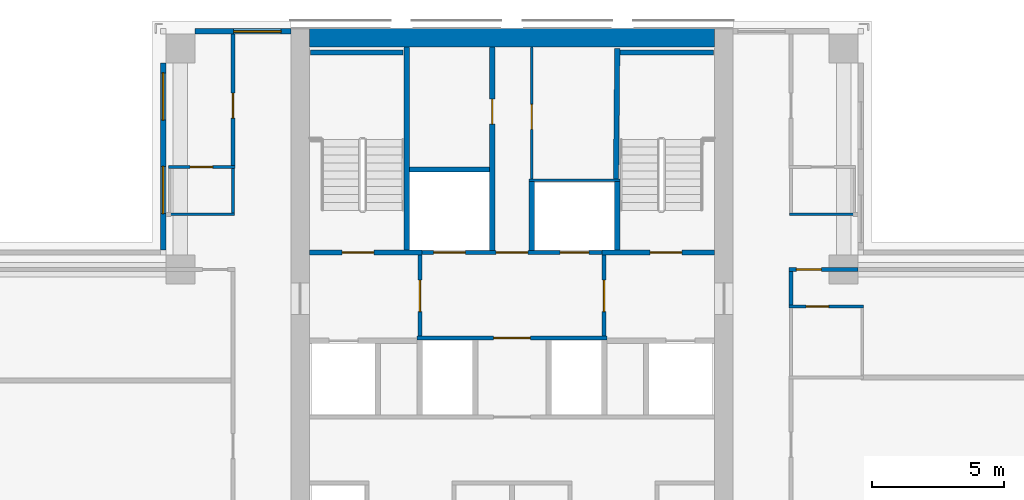
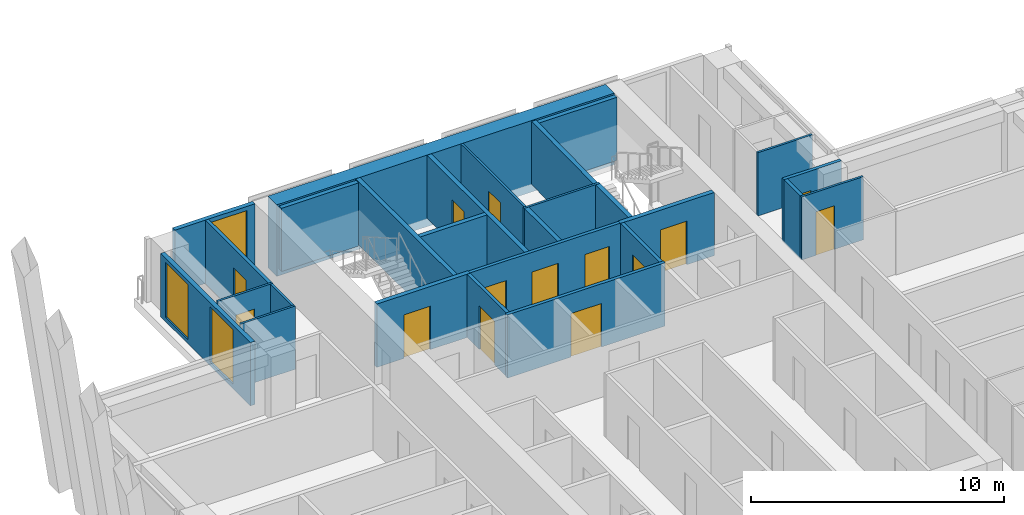
# One storey, part 11 of 15: 27 walls, 14 doors, 3 windows, 17 openings.
"""IFC4 building model written with IfcOpenShell, lengths in metres."""

import ifcopenshell
import ifcopenshell.guid

model = None  # the IFC model being written
_history = None  # IfcOwnerHistory: only IFC2X3 demands one
_inside = {}  # id of a spatial element -> (the spatial element, [elements in it])
_under = {}  # id of a project, library or spatial element -> (it, [spatial elements below it])
_declared = {}  # id of a project -> (the project, [libraries it declares])
_typed = {}  # id of a type object -> (the type object, [elements of that type])
_made_of = {}  # id of a material, layer set ... -> (it, [elements and type objects made of it])


def new_model(schema):
    """Start an empty IFC model of exactly this schema.

    Asked for "IFC4X3", IfcOpenShell would pick the latest addendum, in which some entities
    have other attributes; the version numbers below select the first issue.
    IFC2X3 requires an IfcOwnerHistory on every rooted entity: one is made here for all.
    """
    global model, _history
    if schema == "IFC4X3":
        model = ifcopenshell.file(schema_version=(4, 3, 0, 0))
    else:
        model = ifcopenshell.file(schema=schema)
    _inside.clear()
    _under.clear()
    _declared.clear()
    _typed.clear()
    _made_of.clear()
    _history = None
    if model.schema == "IFC2X3":
        org = make("IfcOrganization", Name="unknown")
        user = make(
            "IfcPersonAndOrganization",
            ThePerson=make("IfcPerson", FamilyName="unknown"),
            TheOrganization=org,
        )
        app = make(
            "IfcApplication",
            ApplicationDeveloper=org,
            Version="unknown",
            ApplicationFullName="unknown",
            ApplicationIdentifier="unknown",
        )
        _history = make(
            "IfcOwnerHistory",
            OwningUser=user,
            OwningApplication=app,
            ChangeAction="ADDED",
            CreationDate=0,
        )
    return model


def make(cls, **values):
    """One entity of the class cls with the attributes given. An attribute that is None is left unset."""
    return model.create_entity(
        cls, **{name: value for name, value in values.items() if value is not None}
    )


def rooted(cls, **values):
    """An entity with a GlobalId (a new one), such as an element, a storey or a relation."""
    return make(cls, GlobalId=ifcopenshell.guid.new(), OwnerHistory=_history, **values)


def si_unit(unit_type, name, prefix=None):
    """IfcSIUnit, for example si_unit("LENGTHUNIT", "METRE", prefix="MILLI")."""
    return make("IfcSIUnit", UnitType=unit_type, Prefix=prefix, Name=name)


def assignment(units):
    """IfcUnitAssignment: the units of a project."""
    return None if units is None else make("IfcUnitAssignment", Units=units)


def point(xyz):
    """IfcCartesianPoint."""
    return None if xyz is None else make("IfcCartesianPoint", Coordinates=xyz)


def direction(xyz):
    """IfcDirection."""
    return None if xyz is None else make("IfcDirection", DirectionRatios=xyz)


def frame(location, z_axis=None, x_axis=None):
    """IfcAxis2Placement3D, a coordinate frame: its origin and axes. An axis left out is left unset."""
    return make(
        "IfcAxis2Placement3D",
        Location=point(location),
        Axis=direction(z_axis),
        RefDirection=direction(x_axis),
    )


def frame_2d(location, x_axis=None):
    """IfcAxis2Placement2D, a coordinate frame in the plane: its origin and x axis."""
    return make(
        "IfcAxis2Placement2D", Location=point(location), RefDirection=direction(x_axis)
    )


def origin():
    """The frame at (0, 0, 0) with its axes left unset."""
    return frame((0.0, 0.0, 0.0))


def place(relative_to, where):
    """IfcLocalPlacement: puts the frame where relative to a parent placement (None: the world)."""
    return make(
        "IfcLocalPlacement", PlacementRelTo=relative_to, RelativePlacement=where
    )


def context(
    kind, dimensions, precision=None, world=None, true_north=None, identifier=None
):
    """IfcGeometricRepresentationContext, for example the 3D "Model" context."""
    return make(
        "IfcGeometricRepresentationContext",
        ContextIdentifier=identifier,
        ContextType=kind,
        CoordinateSpaceDimension=dimensions,
        Precision=precision,
        WorldCoordinateSystem=world,
        TrueNorth=true_north,
    )


def subcontext(parent, identifier, kind, view, scale=None):
    """IfcGeometricRepresentationSubContext, for example "Body" below "Model"."""
    return make(
        "IfcGeometricRepresentationSubContext",
        ContextIdentifier=identifier,
        ContextType=kind,
        ParentContext=parent,
        TargetScale=scale,
        TargetView=view,
    )


def project(units=None, contexts=None):
    """IfcProject with its units and contexts."""
    return rooted(
        "IfcProject",
        Name="project",
        RepresentationContexts=contexts,
        UnitsInContext=assignment(units),
    )


def spatial(cls, under=None, at=None, **own):
    """A site, building, storey or space (cls), placed at a placement, below another one or the project."""
    s = rooted(cls, ObjectPlacement=at, **own)
    if under is not None:
        _under.setdefault(under.id(), (under, []))[1].append(s)
    return s


def profile(cls, at=None, kind="AREA", **sizes):
    """A parametric profile (cls). Its sizes go by their IFC names, for example OverallWidth=200.0."""
    return make(cls, ProfileType=kind, Position=at, **sizes)


def rectangle(**sizes):
    """IfcRectangleProfileDef."""
    return profile("IfcRectangleProfileDef", **sizes)


def extrude(swept, where, along, depth):
    """IfcExtrudedAreaSolid: the profile swept, set in the frame where, extruded along a direction by depth."""
    return make(
        "IfcExtrudedAreaSolid",
        SweptArea=swept,
        Position=where,
        ExtrudedDirection=direction(along),
        Depth=depth,
    )


def shape(context_of_items, identifier, shape_type, items):
    """IfcShapeRepresentation: the items that make up one representation, for example the "Body"."""
    return make(
        "IfcShapeRepresentation",
        ContextOfItems=context_of_items,
        RepresentationIdentifier=identifier,
        RepresentationType=shape_type,
        Items=items,
    )


def material(Name=None, Category=None):
    """IfcMaterial."""
    return make("IfcMaterial", Name=Name, Category=Category)


def layer(
    of_material, thickness, ventilated=None, Name=None, Category=None, Priority=None
):
    """IfcMaterialLayer: one layer of a wall or slab, of a material (None: an air gap)."""
    return make(
        "IfcMaterialLayer",
        Material=of_material,
        LayerThickness=thickness,
        IsVentilated=ventilated,
        Name=Name,
        Category=Category,
        Priority=Priority,
    )


def layer_set(layers, Name=None):
    """IfcMaterialLayerSet."""
    return make("IfcMaterialLayerSet", MaterialLayers=layers, LayerSetName=Name)


def made_of(thing, what):
    """Note that an element or type object is made of a material, layer set ...; save() writes the relation."""
    if what is not None:
        _made_of.setdefault(what.id(), (what, []))[1].append(thing)
    return thing


def type_object(cls, material=None, **own):
    """A type object (cls), such as IfcWallType, which elements share."""
    return made_of(rooted(cls, **own), material)


def element(
    cls,
    number,
    at=None,
    inside=None,
    cuts=None,
    type_object=None,
    material=None,
    context=None,
    identifier="Body",
    shape_type=None,
    held_by="IfcProductDefinitionShape",
    body=None,
    shapes=None,
    **own,
):
    """One element of the class cls, such as IfcWall. Its Tag is "e" and its number.

    at: its placement. inside: the storey or other place that contains it. cuts: it is an
    opening in that element (IfcRelVoidsElement). A single representation is given by context,
    identifier, shape_type and body (its items); several are given by shapes. held_by: the class
    of the entity that holds the representations. save() writes the other relations.
    """
    e = rooted(cls, Tag="e%d" % number, ObjectPlacement=at, **own)
    if body is not None:
        shapes = [shape(context, identifier, shape_type, body)]
    if shapes is not None:
        e.Representation = make(held_by, Representations=shapes)
    if inside is not None:
        _inside.setdefault(inside.id(), (inside, []))[1].append(e)
    if cuts is not None:
        rooted(
            "IfcRelVoidsElement", RelatingBuildingElement=cuts, RelatedOpeningElement=e
        )
    if type_object is not None:
        _typed.setdefault(type_object.id(), (type_object, []))[1].append(e)
    return made_of(e, material)


def fill(opening, filler):
    """IfcRelFillsElement: the door or window that sits in an opening."""
    return rooted(
        "IfcRelFillsElement",
        RelatingOpeningElement=opening,
        RelatedBuildingElement=filler,
    )


def aggregate(whole, parts):
    """IfcRelAggregates: a whole, such as a stair, and the parts it consists of."""
    return rooted("IfcRelAggregates", RelatingObject=whole, RelatedObjects=parts)


def save(model, path):
    """Write the relations noted so far, then the file.

    IfcRelAggregates (storeys below a building ...), IfcRelContainedInSpatialStructure (elements
    in a storey), IfcRelDefinesByType, IfcRelAssociatesMaterial and IfcRelDeclares: one each for
    every whole, place, type object, material and project.
    """
    for whole, parts in _under.values():
        aggregate(whole, parts)
    for where, things in _inside.values():
        rooted(
            "IfcRelContainedInSpatialStructure",
            RelatedElements=things,
            RelatingStructure=where,
        )
    for kind, things in _typed.values():
        rooted("IfcRelDefinesByType", RelatedObjects=things, RelatingType=kind)
    for what, things in _made_of.values():
        rooted("IfcRelAssociatesMaterial", RelatedObjects=things, RelatingMaterial=what)
    for by, libraries in _declared.values():
        rooted("IfcRelDeclares", RelatingContext=by, RelatedDefinitions=libraries)
    model.write(path)


model = new_model("IFC4")

# Units and contexts
model_context = context("Model", 3, precision=1e-05, world=origin(), true_north=direction((0.0, 1.0)))
body_context = subcontext(model_context, "Body", "Model", "MODEL_VIEW")
ifc_project = project(units=[si_unit("LENGTHUNIT", "METRE"), si_unit("AREAUNIT", "SQUARE_METRE"), si_unit("VOLUMEUNIT", "CUBIC_METRE"), si_unit("PLANEANGLEUNIT", "RADIAN"), si_unit("MASSUNIT", "GRAM", prefix="KILO")], contexts=[model_context])

# Site, building, storey
site_placement = place(None, origin())
site = spatial("IfcSite", under=ifc_project, at=site_placement, CompositionType="ELEMENT")
building_placement = place(site_placement, origin())
building = spatial("IfcBuilding", under=site, at=building_placement, Name="Vermilion Ogive Tower", CompositionType="ELEMENT")
storey_placement = place(building_placement, frame((0.0, 0.0, 153.800048828125)))
storey = spatial("IfcBuildingStorey", under=building, at=storey_placement, Name="L39", CompositionType="ELEMENT", Elevation=153.800048828125)

# Wall
ifc_material_1 = material(Name="Concrete B60", Category="concrete")
ifc_layer_1 = layer(ifc_material_1, 0.699951171875)
ifc_layer_set_1 = layer_set([ifc_layer_1], Name="Core wall 700 B60")
wall_type_1 = type_object("IfcWallType", Name="Core wall 700 B60", PredefinedType="SHEAR", material=ifc_layer_set_1)
wall_1_placement = place(storey_placement, frame((-7.699951171875, 21.39990234375, -0.400146484375), z_axis=(0.0, 0.0, 1.0), x_axis=(1.0, 0.0, 0.0)))
element("IfcWall", 1, at=wall_1_placement, inside=storey, type_object=wall_type_1, Name="L39-CORE-N", PredefinedType="SHEAR", context=body_context, shape_type="SweptSolid", body=[
    extrude(rectangle(XDim=15.39990234375, YDim=0.699951171875, at=frame_2d((7.699951171875, 0.0))), origin(), (0.0, 0.0, 1.0), 3.4501953125),
])

# Wall, opening, door
ifc_material_2 = material(Name="Gypsum board partition on steel studs", Category="steel")
ifc_layer_2 = layer(ifc_material_2, 0.10009765625)
ifc_layer_set_2 = layer_set([ifc_layer_2], Name="Partition 100 bath")
wall_type_2 = type_object("IfcWallType", Name="Partition 100 bath", PredefinedType="PARTITIONING", material=ifc_layer_set_2)
wall_2_placement = place(storey_placement, frame((10.52490234375, 11.199951171875, 0.0), z_axis=(0.0, 0.0, 1.0), x_axis=(1.0, 0.0, 0.0)))
wall_2 = element("IfcWall", 2, at=wall_2_placement, inside=storey, type_object=wall_type_2, Name="L39-W-W031", PredefinedType="PARTITIONING", context=body_context, shape_type="SweptSolid", body=[
    extrude(rectangle(XDim=2.8251953125, YDim=0.10009765625, at=frame_2d((1.41259765625, 0.0))), origin(), (0.0, 0.0, 1.0), 3.050048828125),
])
opening_1_placement = place(wall_2_placement, frame((0.64990234375, 0.0, 0.0)))
opening_1 = element("IfcOpeningElement", 3, at=opening_1_placement, cuts=wall_2, Name="Opening D3G3016", PredefinedType="OPENING", context=body_context, shape_type="SweptSolid", body=[
    extrude(rectangle(XDim=0.85009765625, YDim=2.10009765625, at=frame_2d((0.425048828125, 1.050048828125))), frame((0.0, 0.06005859375, 0.0), z_axis=(0.0, -1.0, 0.0), x_axis=(1.0, 0.0, 0.0)), (0.0, 0.0, 1.0), 0.1201171875),
])
ifc_material_3 = material(Name="Timber door leaf", Category="wood")
door_type_1 = type_object("IfcDoorType", Name="Bath door 850 x 2100 FD30", OperationType="SINGLE_SWING_LEFT", PredefinedType="DOOR", material=ifc_material_3)
door_1_placement = place(opening_1_placement, origin())
door_1 = element("IfcDoor", 4, at=door_1_placement, inside=storey, type_object=door_type_1, Name="L39-D-D016", OperationType="SINGLE_SWING_RIGHT", OverallHeight=2.10009765625, OverallWidth=0.85009765625, PredefinedType="DOOR", context=body_context, shape_type="SweptSolid", body=[
    extrude(rectangle(XDim=0.85009765625, YDim=2.10009765625, at=frame_2d((0.425048828125, 1.050048828125))), frame((0.0, 0.02490234375, 0.0), z_axis=(0.0, -1.0, 0.0), x_axis=(1.0, 0.0, 0.0)), (0.0, 0.0, 1.0), 0.050048828125),
])
fill(opening_1, door_1)

# Walls
for number, where, z_axis, x_axis, name in (
    (5, (-13.050048828125, 14.699951171875, 0.0), (0.0, 0.0, 1.0), (1.0, 0.0, 0.0), "L39-W-W035"),
    (6, (10.550048828125, 14.699951171875, 0.0), (0.0, 0.0, 1.0), (1.0, 0.0, 0.0), "L39-W-W036"),
):
    element("IfcWall", number, at=place(storey_placement, frame(where, z_axis=z_axis, x_axis=x_axis)), inside=storey, type_object=wall_type_2, Name=name, PredefinedType="PARTITIONING", context=body_context, shape_type="SweptSolid", body=[
        extrude(rectangle(XDim=2.5, YDim=0.10009765625, at=frame_2d((1.25, 0.0))), origin(), (0.0, 0.0, 1.0), 3.050048828125),
    ])

# Wall, opening, door
wall_3_placement = place(storey_placement, frame((-13.050048828125, 16.5, 0.0), z_axis=(0.0, 0.0, 1.0), x_axis=(1.0, 0.0, 0.0)))
wall_3 = element("IfcWall", 7, at=wall_3_placement, inside=storey, type_object=wall_type_2, Name="L39-W-W038", PredefinedType="PARTITIONING", context=body_context, shape_type="SweptSolid", body=[
    extrude(rectangle(XDim=2.525146484375, YDim=0.10009765625, at=frame_2d((1.2626953125, 0.0))), origin(), (0.0, 0.0, 1.0), 3.050048828125),
])
opening_2_placement = place(wall_3_placement, frame((0.824951171875, 0.0, 0.0)))
opening_2 = element("IfcOpeningElement", 8, at=opening_2_placement, cuts=wall_3, Name="Opening D3G3006", PredefinedType="OPENING", context=body_context, shape_type="SweptSolid", body=[
    extrude(rectangle(XDim=0.85009765625, YDim=2.10009765625, at=frame_2d((0.425048828125, 1.050048828125))), frame((0.0, 0.06005859375, 0.0), z_axis=(0.0, -1.0, 0.0), x_axis=(1.0, 0.0, 0.0)), (0.0, 0.0, 1.0), 0.1201171875),
])
door_2_placement = place(opening_2_placement, origin())
door_2 = element("IfcDoor", 9, at=door_2_placement, inside=storey, type_object=door_type_1, Name="L39-D-D006", OperationType="SINGLE_SWING_RIGHT", OverallHeight=2.10009765625, OverallWidth=0.85009765625, PredefinedType="DOOR", context=body_context, shape_type="SweptSolid", body=[
    extrude(rectangle(XDim=0.85009765625, YDim=2.10009765625, at=frame_2d((0.425048828125, 1.050048828125))), frame((0.0, 0.02490234375, 0.0), z_axis=(0.0, -1.0, 0.0), x_axis=(1.0, 0.0, 0.0)), (0.0, 0.0, 1.0), 0.050048828125),
])
fill(opening_2, door_2)

# Walls
wall_4_placement = place(storey_placement, frame((-10.60009765625, 14.75, 0.0), z_axis=(0.0, 0.0, 1.0), x_axis=(0.0, 1.0, 0.0)))
element("IfcWall", 10, at=wall_4_placement, inside=storey, type_object=wall_type_2, Name="L39-W-W044", PredefinedType="PARTITIONING", context=body_context, shape_type="SweptSolid", body=[
    extrude(rectangle(XDim=1.699951171875, YDim=0.10009765625, at=frame_2d((0.85009765625, 0.0))), origin(), (0.0, 0.0, 1.0), 3.050048828125),
])
wall_5_placement = place(storey_placement, frame((0.64990234375, 16.0, 0.0), z_axis=(0.0, 0.0, 1.0), x_axis=(1.0, 0.0, 0.0)))
element("IfcWall", 11, at=wall_5_placement, inside=storey, type_object=wall_type_2, Name="L39-CK-W-W018", PredefinedType="PARTITIONING", context=body_context, shape_type="SweptSolid", body=[
    extrude(rectangle(XDim=3.4501953125, YDim=0.10009765625, at=frame_2d((1.72509765625, 0.0))), origin(), (0.0, 0.0, 1.0), 3.050048828125),
])

# Wall, opening, door
wall_6_placement = place(storey_placement, frame((0.75, 16.050048828125, 0.0), z_axis=(0.0, 0.0, 1.0), x_axis=(0.0, 1.0, 0.0)))
wall_6 = element("IfcWall", 12, at=wall_6_placement, inside=storey, type_object=wall_type_2, Name="L39-CK-W-W030", PredefinedType="PARTITIONING", context=body_context, shape_type="SweptSolid", body=[
    extrude(rectangle(XDim=4.9990234375, YDim=0.10009765625, at=frame_2d((2.49951171875, 0.0))), origin(), (0.0, 0.0, 1.0), 3.050048828125),
])
opening_3_placement = place(wall_6_placement, frame((1.875, 0.0, 0.0)))
opening_3 = element("IfcOpeningElement", 13, at=opening_3_placement, cuts=wall_6, Name="Opening DAA335", PredefinedType="OPENING", context=body_context, shape_type="SweptSolid", body=[
    extrude(rectangle(XDim=0.949951171875, YDim=2.10009765625, at=frame_2d((0.47509765625, 1.050048828125))), frame((0.0, 0.06005859375, 0.0), z_axis=(0.0, -1.0, 0.0), x_axis=(1.0, 0.0, 0.0)), (0.0, 0.0, 1.0), 0.1201171875),
])
ifc_material_4 = material(Name="Timber door leaf", Category="wood")
door_type_2 = type_object("IfcDoorType", Name="Service door 950 x 2100 FD60", OperationType="SINGLE_SWING_LEFT", PredefinedType="DOOR", material=ifc_material_4)
door_3_placement = place(opening_3_placement, origin())
door_3 = element("IfcDoor", 14, at=door_3_placement, inside=storey, type_object=door_type_2, Name="L39-CK-D-D022", OperationType="SINGLE_SWING_LEFT", OverallHeight=2.10009765625, OverallWidth=0.949951171875, PredefinedType="DOOR", context=body_context, shape_type="SweptSolid", body=[
    extrude(rectangle(XDim=0.949951171875, YDim=2.10009765625, at=frame_2d((0.47509765625, 1.050048828125))), frame((0.0, 0.02490234375, 0.0), z_axis=(0.0, -1.0, 0.0), x_axis=(1.0, 0.0, 0.0)), (0.0, 0.0, 1.0), 0.050048828125),
])
fill(opening_3, door_3)

ifc_material_5 = material(Name="Gypsum board partition on steel studs", Category="steel")
ifc_layer_3 = layer(ifc_material_5, 0.14990234375)
ifc_layer_set_3 = layer_set([ifc_layer_3], Name="Partition 150 corridor")
wall_type_3 = type_object("IfcWallType", Name="Partition 150 corridor", PredefinedType="PARTITIONING", material=ifc_layer_set_3)
wall_7_placement = place(storey_placement, frame((10.52490234375, 12.60009765625, 0.0), z_axis=(0.0, 0.0, 1.0), x_axis=(1.0, 0.0, 0.0)))
wall_7 = element("IfcWall", 15, at=wall_7_placement, inside=storey, type_object=wall_type_3, Name="L39-W-W033", PredefinedType="PARTITIONING", context=body_context, shape_type="SweptSolid", body=[
    extrude(rectangle(XDim=2.625, YDim=0.14990234375, at=frame_2d((1.3125, 0.0))), origin(), (0.0, 0.0, 1.0), 3.050048828125),
])
opening_4_placement = place(wall_7_placement, frame((0.275146484375, 0.0, 0.0)))
opening_4 = element("IfcOpeningElement", 16, at=opening_4_placement, cuts=wall_7, Name="Opening D3G3015", PredefinedType="OPENING", context=body_context, shape_type="SweptSolid", body=[
    extrude(rectangle(XDim=0.949951171875, YDim=2.10009765625, at=frame_2d((0.47509765625, 1.050048828125))), frame((0.0, 0.0849609375, 0.0), z_axis=(0.0, -1.0, 0.0), x_axis=(1.0, 0.0, 0.0)), (0.0, 0.0, 1.0), 0.169921875),
])
ifc_material_6 = material(Name="Timber door leaf", Category="wood")
door_type_3 = type_object("IfcDoorType", Name="Unit door 950 x 2100 FD30S", OperationType="SINGLE_SWING_LEFT", PredefinedType="DOOR", material=ifc_material_6)
door_4_placement = place(opening_4_placement, origin())
door_4 = element("IfcDoor", 17, at=door_4_placement, inside=storey, type_object=door_type_3, Name="L39-D-D015", OperationType="SINGLE_SWING_RIGHT", OverallHeight=2.10009765625, OverallWidth=0.949951171875, PredefinedType="DOOR", context=body_context, shape_type="SweptSolid", body=[
    extrude(rectangle(XDim=0.949951171875, YDim=2.10009765625, at=frame_2d((0.47509765625, 1.050048828125))), frame((0.0, 0.02490234375, 0.0), z_axis=(0.0, -1.0, 0.0), x_axis=(1.0, 0.0, 0.0)), (0.0, 0.0, 1.0), 0.050048828125),
])
fill(opening_4, door_4)

wall_8_placement = place(storey_placement, frame((-10.60009765625, 16.550048828125, 0.0), z_axis=(0.0, 0.0, 1.0), x_axis=(0.0, 1.0, 0.0)))
wall_8 = element("IfcWall", 18, at=wall_8_placement, inside=storey, type_object=wall_type_3, Name="L39-W-W045", PredefinedType="PARTITIONING", context=body_context, shape_type="SweptSolid", body=[
    extrude(rectangle(XDim=5.0, YDim=0.14990234375, at=frame_2d((2.5, 0.0))), origin(), (0.0, 0.0, 1.0), 3.050048828125),
])
opening_5_placement = place(wall_8_placement, frame((1.800048828125, 0.0, 0.0)))
opening_5 = element("IfcOpeningElement", 19, at=opening_5_placement, cuts=wall_8, Name="Opening D3G3005", PredefinedType="OPENING", context=body_context, shape_type="SweptSolid", body=[
    extrude(rectangle(XDim=0.949951171875, YDim=2.10009765625, at=frame_2d((0.47509765625, 1.050048828125))), frame((0.0, 0.0849609375, 0.0), z_axis=(0.0, -1.0, 0.0), x_axis=(1.0, 0.0, 0.0)), (0.0, 0.0, 1.0), 0.169921875),
])
door_5_placement = place(opening_5_placement, origin())
door_5 = element("IfcDoor", 20, at=door_5_placement, inside=storey, type_object=door_type_3, Name="L39-D-D005", OperationType="SINGLE_SWING_RIGHT", OverallHeight=2.10009765625, OverallWidth=0.949951171875, PredefinedType="DOOR", context=body_context, shape_type="SweptSolid", body=[
    extrude(rectangle(XDim=0.949951171875, YDim=2.10009765625, at=frame_2d((0.47509765625, 1.050048828125))), frame((0.0, 0.02490234375, 0.0), z_axis=(0.0, -1.0, 0.0), x_axis=(1.0, 0.0, 0.0)), (0.0, 0.0, 1.0), 0.050048828125),
])
fill(opening_5, door_5)

# Wall
wall_9_placement = place(storey_placement, frame((10.60009765625, 11.25, 0.0), z_axis=(0.0, 0.0, 1.0), x_axis=(0.0, 1.0, 0.0)))
element("IfcWall", 21, at=wall_9_placement, inside=storey, type_object=wall_type_3, Name="L39-W-W061", PredefinedType="PARTITIONING", context=body_context, shape_type="SweptSolid", body=[
    extrude(rectangle(XDim=1.27490234375, YDim=0.14990234375, at=frame_2d((0.637451171875, 0.0))), origin(), (0.0, 0.0, 1.0), 3.050048828125),
])

# Wall, opening, door
wall_10_placement = place(storey_placement, frame((-3.60009765625, 10.0, 0.0), z_axis=(0.0, 0.0, 1.0), x_axis=(1.0, 0.0, 0.0)))
wall_10 = element("IfcWall", 22, at=wall_10_placement, inside=storey, type_object=wall_type_3, Name="L39-CK-W-W014", PredefinedType="PARTITIONING", context=body_context, shape_type="SweptSolid", body=[
    extrude(rectangle(XDim=7.2001953125, YDim=0.14990234375, at=frame_2d((3.60009765625, 0.0))), origin(), (0.0, 0.0, 1.0), 3.050048828125),
])
opening_6_placement = place(wall_10_placement, frame((2.900146484375, 0.0, 0.0)))
opening_6 = element("IfcOpeningElement", 23, at=opening_6_placement, cuts=wall_10, Name="Opening DAA326", PredefinedType="OPENING", context=body_context, shape_type="SweptSolid", body=[
    extrude(rectangle(XDim=1.39990234375, YDim=2.10009765625, at=frame_2d((0.699951171875, 1.050048828125))), frame((0.0, 0.0849609375, 0.0), z_axis=(0.0, -1.0, 0.0), x_axis=(1.0, 0.0, 0.0)), (0.0, 0.0, 1.0), 0.169921875),
])
ifc_material_7 = material(Name="Timber door leaf", Category="wood")
door_type_4 = type_object("IfcDoorType", Name="Lobby door 1400 x 2100 FD60S", OperationType="SINGLE_SWING_LEFT", PredefinedType="DOOR", material=ifc_material_7)
door_6_placement = place(opening_6_placement, origin())
door_6 = element("IfcDoor", 24, at=door_6_placement, inside=storey, type_object=door_type_4, Name="L39-CK-D-D017", OperationType="SINGLE_SWING_RIGHT", OverallHeight=2.10009765625, OverallWidth=1.39990234375, PredefinedType="DOOR", context=body_context, shape_type="SweptSolid", body=[
    extrude(rectangle(XDim=1.39990234375, YDim=2.10009765625, at=frame_2d((0.699951171875, 1.050048828125))), frame((0.0, 0.02490234375, 0.0), z_axis=(0.0, -1.0, 0.0), x_axis=(1.0, 0.0, 0.0)), (0.0, 0.0, 1.0), 0.050048828125),
])
fill(opening_6, door_6)

# Wall, openings, doors
wall_11_placement = place(storey_placement, frame((-3.574951171875, 13.25, 0.0), z_axis=(0.0, 0.0, 1.0), x_axis=(1.0, 0.0, 0.0)))
wall_11 = element("IfcWall", 25, at=wall_11_placement, inside=storey, type_object=wall_type_3, Name="L39-CK-W-W016", PredefinedType="PARTITIONING", context=body_context, shape_type="SweptSolid", body=[
    extrude(rectangle(XDim=7.14990234375, YDim=0.14990234375, at=frame_2d((3.574951171875, 0.0))), origin(), (0.0, 0.0, 1.0), 3.050048828125),
])
opening_7_placement = place(wall_11_placement, frame((0.599853515625, 0.0, 0.0)))
opening_7 = element("IfcOpeningElement", 26, at=opening_7_placement, cuts=wall_11, Name="Opening DAA346", PredefinedType="OPENING", context=body_context, shape_type="SweptSolid", body=[
    extrude(rectangle(XDim=1.199951171875, YDim=2.10009765625, at=frame_2d((0.60009765625, 1.050048828125))), frame((0.0, 0.0849609375, 0.0), z_axis=(0.0, -1.0, 0.0), x_axis=(1.0, 0.0, 0.0)), (0.0, 0.0, 1.0), 0.169921875),
])
opening_8_placement = place(wall_11_placement, frame((5.39990234375, 0.0, 0.0)))
opening_8 = element("IfcOpeningElement", 27, at=opening_8_placement, cuts=wall_11, Name="Opening DAA345", PredefinedType="OPENING", context=body_context, shape_type="SweptSolid", body=[
    extrude(rectangle(XDim=1.10009765625, YDim=2.10009765625, at=frame_2d((0.550048828125, 1.050048828125))), frame((0.0, 0.0849609375, 0.0), z_axis=(0.0, -1.0, 0.0), x_axis=(1.0, 0.0, 0.0)), (0.0, 0.0, 1.0), 0.169921875),
])
opening_9_placement = place(wall_11_placement, frame((2.974853515625, 0.0, 0.0)))
opening_9 = element("IfcOpeningElement", 28, at=opening_9_placement, cuts=wall_11, Name="Opening DAA327", PredefinedType="OPENING", context=body_context, shape_type="SweptSolid", body=[
    extrude(rectangle(XDim=1.199951171875, YDim=2.10009765625, at=frame_2d((0.60009765625, 1.050048828125))), frame((0.0, 0.0849609375, 0.0), z_axis=(0.0, -1.0, 0.0), x_axis=(1.0, 0.0, 0.0)), (0.0, 0.0, 1.0), 0.169921875),
])
ifc_material_8 = material(Name="Stainless steel", Category="steel")
door_type_5 = type_object("IfcDoorType", Name="Lift landing door 1100 x 2100", OperationType="SLIDING_TO_LEFT", PredefinedType="DOOR", material=ifc_material_8)
door_7_placement = place(opening_8_placement, origin())
door_7 = element("IfcDoor", 29, at=door_7_placement, inside=storey, type_object=door_type_5, Name="L39-CK-D-D019", OperationType="SLIDING_TO_LEFT", OverallHeight=2.10009765625, OverallWidth=1.10009765625, PredefinedType="DOOR", context=body_context, shape_type="SweptSolid", body=[
    extrude(rectangle(XDim=1.10009765625, YDim=2.10009765625, at=frame_2d((0.550048828125, 1.050048828125))), frame((0.0, 0.02490234375, 0.0), z_axis=(0.0, -1.0, 0.0), x_axis=(1.0, 0.0, 0.0)), (0.0, 0.0, 1.0), 0.050048828125),
])
fill(opening_8, door_7)
ifc_material_9 = material(Name="Stainless steel", Category="steel")
door_type_6 = type_object("IfcDoorType", Name="Lift landing door 1200 x 2100", OperationType="SLIDING_TO_LEFT", PredefinedType="DOOR", material=ifc_material_9)
door_8_placement = place(opening_7_placement, origin())
door_8 = element("IfcDoor", 30, at=door_8_placement, inside=storey, type_object=door_type_6, Name="L39-CK-D-D018", OperationType="SLIDING_TO_RIGHT", OverallHeight=2.10009765625, OverallWidth=1.199951171875, PredefinedType="DOOR", context=body_context, shape_type="SweptSolid", body=[
    extrude(rectangle(XDim=1.199951171875, YDim=2.10009765625, at=frame_2d((0.60009765625, 1.050048828125))), frame((0.0, 0.02490234375, 0.0), z_axis=(0.0, -1.0, 0.0), x_axis=(1.0, 0.0, 0.0)), (0.0, 0.0, 1.0), 0.050048828125),
])
fill(opening_7, door_8)
ifc_material_10 = material(Name="Timber door leaf", Category="wood")
door_type_7 = type_object("IfcDoorType", Name="Service door 1200 x 2100 FD60", OperationType="SINGLE_SWING_LEFT", PredefinedType="DOOR", material=ifc_material_10)
door_9_placement = place(opening_9_placement, origin())
door_9 = element("IfcDoor", 31, at=door_9_placement, inside=storey, type_object=door_type_7, Name="L39-CK-D-D020", OperationType="SINGLE_SWING_RIGHT", OverallHeight=2.10009765625, OverallWidth=1.199951171875, PredefinedType="DOOR", context=body_context, shape_type="SweptSolid", body=[
    extrude(rectangle(XDim=1.199951171875, YDim=2.10009765625, at=frame_2d((0.60009765625, 1.050048828125))), frame((0.0, 0.02490234375, 0.0), z_axis=(0.0, -1.0, 0.0), x_axis=(1.0, 0.0, 0.0)), (0.0, 0.0, 1.0), 0.050048828125),
])
fill(opening_9, door_9)

# Wall, opening, door
wall_12_placement = place(storey_placement, frame((-3.5, 10.074951171875, 0.0), z_axis=(0.0, 0.0, 1.0), x_axis=(0.0, 1.0, 0.0)))
wall_12 = element("IfcWall", 32, at=wall_12_placement, inside=storey, type_object=wall_type_3, Name="L39-CK-W-W024", PredefinedType="PARTITIONING", context=body_context, shape_type="SweptSolid", body=[
    extrude(rectangle(XDim=3.074951171875, YDim=0.14990234375, at=frame_2d((1.53759765625, 0.0))), origin(), (0.0, 0.0, 1.0), 3.050048828125),
])
opening_10_placement = place(wall_12_placement, frame((0.925048828125, 0.0, 0.0)))
opening_10 = element("IfcOpeningElement", 33, at=opening_10_placement, cuts=wall_12, Name="Opening DAA323", PredefinedType="OPENING", context=body_context, shape_type="SweptSolid", body=[
    extrude(rectangle(XDim=1.199951171875, YDim=2.10009765625, at=frame_2d((0.60009765625, 1.050048828125))), frame((0.0, 0.0849609375, 0.0), z_axis=(0.0, -1.0, 0.0), x_axis=(1.0, 0.0, 0.0)), (0.0, 0.0, 1.0), 0.169921875),
])
ifc_material_11 = material(Name="Timber door leaf", Category="wood")
door_type_8 = type_object("IfcDoorType", Name="Lobby door 1200 x 2100 FD60S", OperationType="SINGLE_SWING_LEFT", PredefinedType="DOOR", material=ifc_material_11)
door_10_placement = place(opening_10_placement, origin())
door_10 = element("IfcDoor", 34, at=door_10_placement, inside=storey, type_object=door_type_8, Name="L39-CK-D-D023", OperationType="SINGLE_SWING_RIGHT", OverallHeight=2.10009765625, OverallWidth=1.199951171875, PredefinedType="DOOR", context=body_context, shape_type="SweptSolid", body=[
    extrude(rectangle(XDim=1.199951171875, YDim=2.10009765625, at=frame_2d((0.60009765625, 1.050048828125))), frame((0.0, 0.02490234375, 0.0), z_axis=(0.0, -1.0, 0.0), x_axis=(1.0, 0.0, 0.0)), (0.0, 0.0, 1.0), 0.050048828125),
])
fill(opening_10, door_10)

wall_13_placement = place(storey_placement, frame((3.5, 10.074951171875, 0.0), z_axis=(0.0, 0.0, 1.0), x_axis=(0.0, 1.0, 0.0)))
wall_13 = element("IfcWall", 35, at=wall_13_placement, inside=storey, type_object=wall_type_3, Name="L39-CK-W-W034", PredefinedType="PARTITIONING", context=body_context, shape_type="SweptSolid", body=[
    extrude(rectangle(XDim=3.074951171875, YDim=0.14990234375, at=frame_2d((1.53759765625, 0.0))), origin(), (0.0, 0.0, 1.0), 3.050048828125),
])
opening_11_placement = place(wall_13_placement, frame((0.925048828125, 0.0, 0.0)))
opening_11 = element("IfcOpeningElement", 36, at=opening_11_placement, cuts=wall_13, Name="Opening DAA324", PredefinedType="OPENING", context=body_context, shape_type="SweptSolid", body=[
    extrude(rectangle(XDim=1.199951171875, YDim=2.10009765625, at=frame_2d((0.60009765625, 1.050048828125))), frame((0.0, 0.0849609375, 0.0), z_axis=(0.0, -1.0, 0.0), x_axis=(1.0, 0.0, 0.0)), (0.0, 0.0, 1.0), 0.169921875),
])
door_11_placement = place(opening_11_placement, origin())
door_11 = element("IfcDoor", 37, at=door_11_placement, inside=storey, type_object=door_type_8, Name="L39-CK-D-D024", OperationType="SINGLE_SWING_LEFT", OverallHeight=2.10009765625, OverallWidth=1.199951171875, PredefinedType="DOOR", context=body_context, shape_type="SweptSolid", body=[
    extrude(rectangle(XDim=1.199951171875, YDim=2.10009765625, at=frame_2d((0.60009765625, 1.050048828125))), frame((0.0, 0.02490234375, 0.0), z_axis=(0.0, -1.0, 0.0), x_axis=(1.0, 0.0, 0.0)), (0.0, 0.0, 1.0), 0.050048828125),
])
fill(opening_11, door_11)

# Wall
ifc_material_12 = material(Name="Gypsum board partition on steel studs", Category="steel")
ifc_layer_4 = layer(ifc_material_12, 0.199951171875)
ifc_layer_set_4 = layer_set([ifc_layer_4], Name="Partition 200 party")
wall_type_4 = type_object("IfcWallType", Name="Partition 200 party", PredefinedType="PARTITIONING", material=ifc_layer_set_4)
wall_14_placement = place(storey_placement, frame((-3.89990234375, 16.39990234375, 0.0), z_axis=(0.0, 0.0, 1.0), x_axis=(1.0, 0.0, 0.0)))
element("IfcWall", 38, at=wall_14_placement, inside=storey, type_object=wall_type_4, Name="L39-CK-W-W019", PredefinedType="PARTITIONING", context=body_context, shape_type="SweptSolid", body=[
    extrude(rectangle(XDim=3.0498046875, YDim=0.199951171875, at=frame_2d((1.52490234375, 0.0))), origin(), (0.0, 0.0, 1.0), 3.050048828125),
])

# Wall, opening, door
wall_15_placement = place(storey_placement, frame((-0.75, 13.324951171875, 0.0), z_axis=(0.0, 0.0, 1.0), x_axis=(0.0, 1.0, 0.0)))
wall_15 = element("IfcWall", 39, at=wall_15_placement, inside=storey, type_object=wall_type_4, Name="L39-CK-W-W027", PredefinedType="PARTITIONING", context=body_context, shape_type="SweptSolid", body=[
    extrude(rectangle(XDim=7.72412109375, YDim=0.199951171875, at=frame_2d((3.862060546875, 0.0))), origin(), (0.0, 0.0, 1.0), 3.050048828125),
])
opening_12_placement = place(wall_15_placement, frame((4.800048828125, 0.0, 0.0)))
opening_12 = element("IfcOpeningElement", 40, at=opening_12_placement, cuts=wall_15, Name="Opening DAA334", PredefinedType="OPENING", context=body_context, shape_type="SweptSolid", body=[
    extrude(rectangle(XDim=0.949951171875, YDim=2.10009765625, at=frame_2d((0.47509765625, 1.050048828125))), frame((0.0, 0.10986328125, 0.0), z_axis=(0.0, -1.0, 0.0), x_axis=(1.0, 0.0, 0.0)), (0.0, 0.0, 1.0), 0.219970703125),
])
door_12_placement = place(opening_12_placement, origin())
door_12 = element("IfcDoor", 41, at=door_12_placement, inside=storey, type_object=door_type_2, Name="L39-CK-D-D021", OperationType="SINGLE_SWING_RIGHT", OverallHeight=2.10009765625, OverallWidth=0.949951171875, PredefinedType="DOOR", context=body_context, shape_type="SweptSolid", body=[
    extrude(rectangle(XDim=0.949951171875, YDim=2.10009765625, at=frame_2d((0.47509765625, 1.050048828125))), frame((0.0, 0.02490234375, 0.0), z_axis=(0.0, -1.0, 0.0), x_axis=(1.0, 0.0, 0.0)), (0.0, 0.0, 1.0), 0.050048828125),
])
fill(opening_12, door_12)

# Wall
wall_16_placement = place(storey_placement, frame((0.75, 13.324951171875, 0.0), z_axis=(0.0, 0.0, 1.0), x_axis=(0.0, 1.0, 0.0)))
element("IfcWall", 42, at=wall_16_placement, inside=storey, type_object=wall_type_4, Name="L39-CK-W-W029", PredefinedType="PARTITIONING", context=body_context, shape_type="SweptSolid", body=[
    extrude(rectangle(XDim=2.625, YDim=0.199951171875, at=frame_2d((1.3125, 0.0))), origin(), (0.0, 0.0, 1.0), 3.050048828125),
])

# Wall, opening, door
ifc_material_13 = material(Name="Concrete B60", Category="concrete")
ifc_layer_5 = layer(ifc_material_13, 0.199951171875)
ifc_layer_set_5 = layer_set([ifc_layer_5], Name="Stair shaft wall 200 Concrete B60")
wall_type_5 = type_object("IfcWallType", Name="Stair shaft wall 200 Concrete B60", PredefinedType="SOLIDWALL", material=ifc_layer_set_5)
wall_17_placement = place(storey_placement, frame((-7.698974609375, 13.25, 0.0), z_axis=(0.0, 0.0, 1.0), x_axis=(1.0, 0.0, 0.0)))
wall_17 = element("IfcWall", 43, at=wall_17_placement, inside=storey, type_object=wall_type_5, Name="L39-CK-W-W015", PredefinedType="SOLIDWALL", context=body_context, shape_type="SweptSolid", body=[
    extrude(rectangle(XDim=4.27392578125, YDim=0.199951171875, at=frame_2d((2.136962890625, 0.0))), origin(), (0.0, 0.0, 1.0), 3.050048828125),
])
opening_13_placement = place(wall_17_placement, frame((1.2490234375, 0.0, 0.0)))
opening_13 = element("IfcOpeningElement", 44, at=opening_13_placement, cuts=wall_17, Name="Opening DAA336", PredefinedType="OPENING", context=body_context, shape_type="SweptSolid", body=[
    extrude(rectangle(XDim=1.199951171875, YDim=2.10009765625, at=frame_2d((0.60009765625, 1.050048828125))), frame((0.0, 0.10986328125, 0.0), z_axis=(0.0, -1.0, 0.0), x_axis=(1.0, 0.0, 0.0)), (0.0, 0.0, 1.0), 0.219970703125),
])
ifc_material_14 = material(Name="Timber door leaf", Category="wood")
door_type_9 = type_object("IfcDoorType", Name="Stair door 1200 x 2100 FD60S", OperationType="SINGLE_SWING_LEFT", PredefinedType="DOOR", material=ifc_material_14)
door_13_placement = place(opening_13_placement, origin())
door_13 = element("IfcDoor", 45, at=door_13_placement, inside=storey, type_object=door_type_9, Name="L39-CK-D-D012", OperationType="SINGLE_SWING_LEFT", OverallHeight=2.10009765625, OverallWidth=1.199951171875, PredefinedType="DOOR", context=body_context, shape_type="SweptSolid", body=[
    extrude(rectangle(XDim=1.199951171875, YDim=2.10009765625, at=frame_2d((0.60009765625, 1.050048828125))), frame((0.0, 0.02490234375, 0.0), z_axis=(0.0, -1.0, 0.0), x_axis=(1.0, 0.0, 0.0)), (0.0, 0.0, 1.0), 0.050048828125),
])
fill(opening_13, door_13)

wall_18_placement = place(storey_placement, frame((3.425048828125, 13.25, 0.0), z_axis=(0.0, 0.0, 1.0), x_axis=(1.0, 0.0, 0.0)))
wall_18 = element("IfcWall", 46, at=wall_18_placement, inside=storey, type_object=wall_type_5, Name="L39-CK-W-W017", PredefinedType="SOLIDWALL", context=body_context, shape_type="SweptSolid", body=[
    extrude(rectangle(XDim=4.27392578125, YDim=0.199951171875, at=frame_2d((2.136962890625, 0.0))), origin(), (0.0, 0.0, 1.0), 3.050048828125),
])
opening_14_placement = place(wall_18_placement, frame((1.824951171875, 0.0, 0.0)))
opening_14 = element("IfcOpeningElement", 47, at=opening_14_placement, cuts=wall_18, Name="Opening DAA337", PredefinedType="OPENING", context=body_context, shape_type="SweptSolid", body=[
    extrude(rectangle(XDim=1.199951171875, YDim=2.10009765625, at=frame_2d((0.60009765625, 1.050048828125))), frame((0.0, 0.10986328125, 0.0), z_axis=(0.0, -1.0, 0.0), x_axis=(1.0, 0.0, 0.0)), (0.0, 0.0, 1.0), 0.219970703125),
])
door_14_placement = place(opening_14_placement, origin())
door_14 = element("IfcDoor", 48, at=door_14_placement, inside=storey, type_object=door_type_9, Name="L39-CK-D-D014", OperationType="SINGLE_SWING_RIGHT", OverallHeight=2.10009765625, OverallWidth=1.199951171875, PredefinedType="DOOR", context=body_context, shape_type="SweptSolid", body=[
    extrude(rectangle(XDim=1.199951171875, YDim=2.10009765625, at=frame_2d((0.60009765625, 1.050048828125))), frame((0.0, 0.02490234375, 0.0), z_axis=(0.0, -1.0, 0.0), x_axis=(1.0, 0.0, 0.0)), (0.0, 0.0, 1.0), 0.050048828125),
])
fill(opening_14, door_14)

# Walls
wall_19_placement = place(storey_placement, frame((-4.0, 13.35009765625, 0.0), z_axis=(0.0, 0.0, 1.0), x_axis=(0.0, 1.0, 0.0)))
element("IfcWall", 49, at=wall_19_placement, inside=storey, type_object=wall_type_5, Name="L39-CK-W-W022", PredefinedType="SOLIDWALL", context=body_context, shape_type="SweptSolid", body=[
    extrude(rectangle(XDim=7.698974609375, YDim=0.199951171875, at=frame_2d((3.849609375, 0.0))), origin(), (0.0, 0.0, 1.0), 3.050048828125),
])
wall_20_placement = place(storey_placement, frame((4.0, 13.35009765625, 0.0), z_axis=(0.0, 0.0, 1.0), x_axis=(0.0, 1.0, 0.0)))
element("IfcWall", 50, at=wall_20_placement, inside=storey, type_object=wall_type_5, Name="L39-CK-W-W035", PredefinedType="SOLIDWALL", context=body_context, shape_type="SweptSolid", body=[
    extrude(rectangle(XDim=2.599853515625, YDim=0.199951171875, at=frame_2d((1.2998046875, 0.0))), origin(), (0.0, 0.0, 1.0), 3.050048828125),
])
wall_21_placement = place(storey_placement, frame((3.949951171875, 16.050048828125, 0.0), z_axis=(0.0, 0.0, 1.0), x_axis=(0.010112452169, 0.999948867848, 0.0)))
element("IfcWall", 51, at=wall_21_placement, inside=storey, type_object=wall_type_5, Name="L39-CK-W-W036", PredefinedType="SOLIDWALL", context=body_context, shape_type="SweptSolid", body=[
    extrude(rectangle(XDim=4.94921875, YDim=0.199951171875, at=frame_2d((2.474609375, 0.0))), origin(), (0.0, 0.0, 1.0), 3.050048828125),
])
wall_22_placement = place(storey_placement, frame((-7.64990234375, 20.85009765625, 0.0), z_axis=(0.0, 0.0, 1.0), x_axis=(1.0, 0.0, 0.0)))
element("IfcWall", 52, at=wall_22_placement, inside=storey, type_object=wall_type_5, Name="L39-SW-R017-N1", PredefinedType="SOLIDWALL", context=body_context, shape_type="SweptSolid", body=[
    extrude(rectangle(XDim=3.5, YDim=0.199951171875, at=frame_2d((1.75, 0.0))), origin(), (0.0, 0.0, 1.0), 3.050048828125),
])
wall_23_placement = place(storey_placement, frame((4.10009765625, 20.85009765625, 0.0), z_axis=(0.0, 0.0, 1.0), x_axis=(1.0, 0.0, 0.0)))
element("IfcWall", 53, at=wall_23_placement, inside=storey, type_object=wall_type_5, Name="L39-SW-R021-N1", PredefinedType="SOLIDWALL", context=body_context, shape_type="SweptSolid", body=[
    extrude(rectangle(XDim=3.5498046875, YDim=0.199951171875, at=frame_2d((1.77490234375, 0.0))), origin(), (0.0, 0.0, 1.0), 3.050048828125),
])

# Wall, opening, window
ifc_material_15 = material(Name="Aluminium window wall framing", Category="aluminium")
ifc_layer_6 = layer(ifc_material_15, 0.199951171875)
ifc_layer_set_6 = layer_set([ifc_layer_6], Name="Window wall")
wall_type_6 = type_object("IfcWallType", Name="Window wall", PredefinedType="STANDARD", material=ifc_layer_set_6)
wall_24_placement = place(storey_placement, frame((-8.39990234375, 21.64990234375, 0.0), z_axis=(0.0, 0.0, 1.0), x_axis=(-1.0, 0.0, 0.0)))
wall_24 = element("IfcWall", 54, at=wall_24_placement, inside=storey, type_object=wall_type_6, Name="Window wall N21", PredefinedType="STANDARD", context=body_context, shape_type="SweptSolid", body=[
    extrude(rectangle(XDim=3.650146484375, YDim=0.199951171875, at=frame_2d((1.8251953125, 0.0))), origin(), (0.0, 0.0, 1.0), 3.050048828125),
])
opening_15_placement = place(wall_24_placement, frame((0.375, 0.0, 0.199951171875)))
opening_15 = element("IfcOpeningElement", 55, at=opening_15_placement, cuts=wall_24, Name="Opening W1-N297", PredefinedType="OPENING", context=body_context, shape_type="SweptSolid", body=[
    extrude(rectangle(XDim=1.800048828125, YDim=2.64990234375, at=frame_2d((0.89990234375, 1.324951171875))), frame((0.0, 0.10986328125, 0.0), z_axis=(0.0, -1.0, 0.0), x_axis=(1.0, 0.0, 0.0)), (0.0, 0.0, 1.0), 0.219970703125),
])
ifc_material_16 = material(Name="Aluminium framed double glazing", Category="aluminium")
window_type = type_object("IfcWindowType", Name="Guest window W1", PartitioningType="SINGLE_PANEL", PredefinedType="WINDOW", material=ifc_material_16)
window_1_placement = place(opening_15_placement, origin())
window_1 = element("IfcWindow", 56, at=window_1_placement, inside=storey, type_object=window_type, Name="Window N297", OverallHeight=2.64990234375, OverallWidth=1.800048828125, PartitioningType="SINGLE_PANEL", PredefinedType="WINDOW", context=body_context, shape_type="SweptSolid", body=[
    extrude(rectangle(XDim=1.800048828125, YDim=2.64990234375, at=frame_2d((0.89990234375, 1.324951171875))), frame((0.0, 0.030029296875, 0.0), z_axis=(0.0, -1.0, 0.0), x_axis=(1.0, 0.0, 0.0)), (0.0, 0.0, 1.0), 0.06005859375),
])
fill(opening_15, window_1)

# Wall, openings, windows
wall_25_placement = place(storey_placement, frame((-13.25, 20.449951171875, 0.0), z_axis=(0.0, 0.0, 1.0), x_axis=(0.0, -1.0, 0.0)))
wall_25 = element("IfcWall", 57, at=wall_25_placement, inside=storey, type_object=wall_type_6, Name="Window wall X51", PredefinedType="STANDARD", context=body_context, shape_type="SweptSolid", body=[
    extrude(rectangle(XDim=7.099853515625, YDim=0.199951171875, at=frame_2d((3.5498046875, 0.0))), origin(), (0.0, 0.0, 1.0), 3.050048828125),
])
opening_16_placement = place(wall_25_placement, frame((3.925048828125, 0.0, 0.199951171875)))
opening_16 = element("IfcOpeningElement", 58, at=opening_16_placement, cuts=wall_25, Name="Opening W1-X503", PredefinedType="OPENING", context=body_context, shape_type="SweptSolid", body=[
    extrude(rectangle(XDim=1.800048828125, YDim=2.64990234375, at=frame_2d((0.89990234375, 1.324951171875))), frame((0.0, 0.10986328125, 0.0), z_axis=(0.0, -1.0, 0.0), x_axis=(1.0, 0.0, 0.0)), (0.0, 0.0, 1.0), 0.219970703125),
])
opening_17_placement = place(wall_25_placement, frame((0.375, 0.0, 0.199951171875)))
opening_17 = element("IfcOpeningElement", 59, at=opening_17_placement, cuts=wall_25, Name="Opening W1-X504", PredefinedType="OPENING", context=body_context, shape_type="SweptSolid", body=[
    extrude(rectangle(XDim=1.800048828125, YDim=2.64990234375, at=frame_2d((0.89990234375, 1.324951171875))), frame((0.0, 0.10986328125, 0.0), z_axis=(0.0, -1.0, 0.0), x_axis=(1.0, 0.0, 0.0)), (0.0, 0.0, 1.0), 0.219970703125),
])
window_2_placement = place(opening_16_placement, origin())
window_2 = element("IfcWindow", 60, at=window_2_placement, inside=storey, type_object=window_type, Name="Window X503", OverallHeight=2.64990234375, OverallWidth=1.800048828125, PartitioningType="SINGLE_PANEL", PredefinedType="WINDOW", context=body_context, shape_type="SweptSolid", body=[
    extrude(rectangle(XDim=1.800048828125, YDim=2.64990234375, at=frame_2d((0.89990234375, 1.324951171875))), frame((0.0, 0.030029296875, 0.0), z_axis=(0.0, -1.0, 0.0), x_axis=(1.0, 0.0, 0.0)), (0.0, 0.0, 1.0), 0.06005859375),
])
fill(opening_16, window_2)
window_3_placement = place(opening_17_placement, origin())
window_3 = element("IfcWindow", 61, at=window_3_placement, inside=storey, type_object=window_type, Name="Window X504", OverallHeight=2.64990234375, OverallWidth=1.800048828125, PartitioningType="SINGLE_PANEL", PredefinedType="WINDOW", context=body_context, shape_type="SweptSolid", body=[
    extrude(rectangle(XDim=1.800048828125, YDim=2.64990234375, at=frame_2d((0.89990234375, 1.324951171875))), frame((0.0, 0.030029296875, 0.0), z_axis=(0.0, -1.0, 0.0), x_axis=(1.0, 0.0, 0.0)), (0.0, 0.0, 1.0), 0.06005859375),
])
fill(opening_17, window_3)

save(model, "model.ifc")
